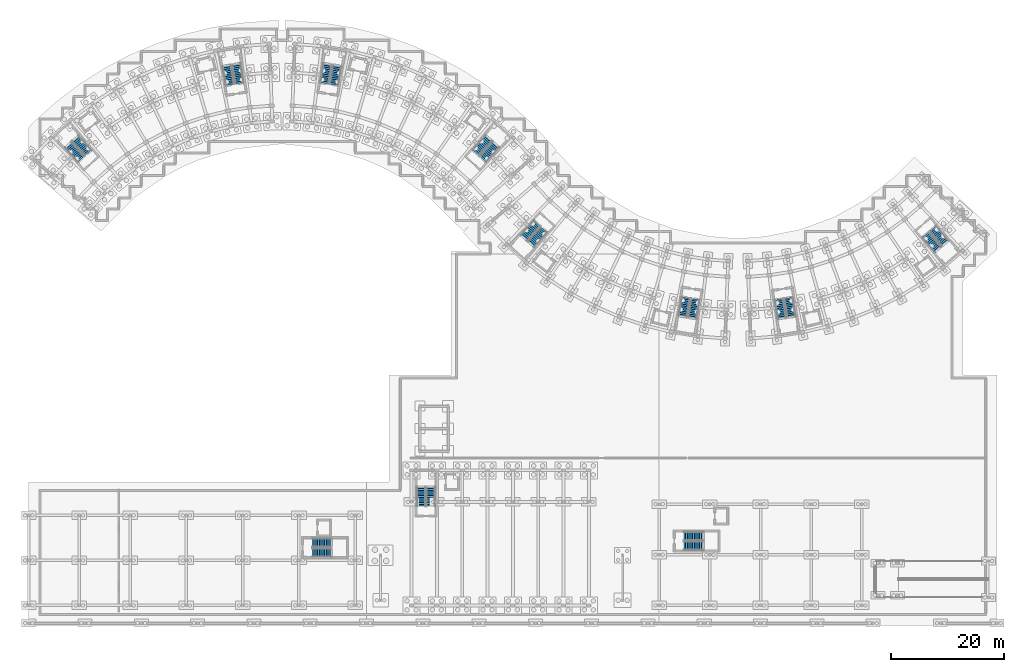
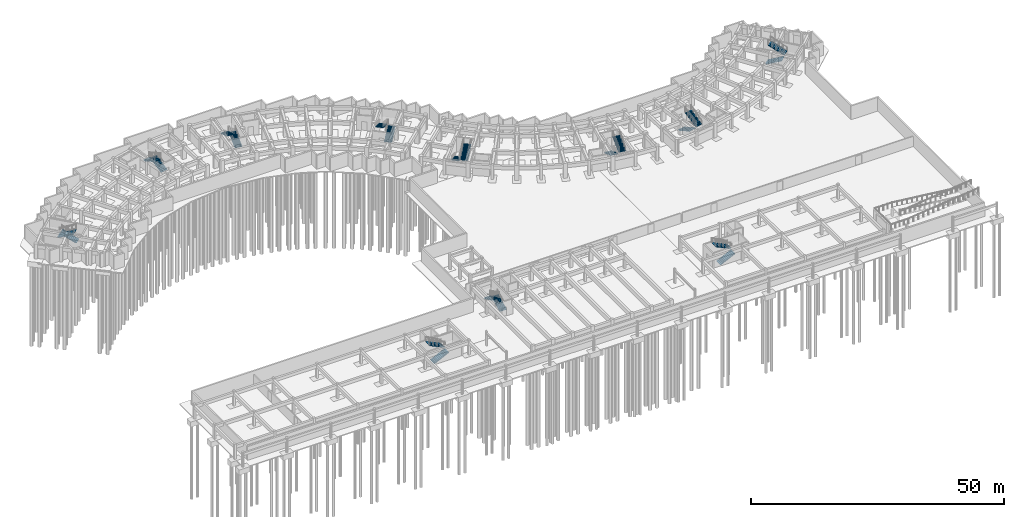
# One storey, part 24 of 32: 22 stair flights, 11 elements without a shape of their own.
"""IFC4 building model written with IfcOpenShell, lengths in metres."""

from ifc_helpers import new_model, si_unit, direction, frame, origin, place, context, subcontext, project, spatial, polyline, outline, extrude, material, type_object, element, aggregate, save


model = new_model("IFC4")

# Units and contexts
model_context = context("Model", 3, precision=1e-05, world=origin(), true_north=direction((0.0, 1.0)))
body_context = subcontext(model_context, "Body", "Model", "MODEL_VIEW")
ifc_project = project(units=[si_unit("LENGTHUNIT", "METRE"), si_unit("AREAUNIT", "SQUARE_METRE"), si_unit("VOLUMEUNIT", "CUBIC_METRE"), si_unit("PLANEANGLEUNIT", "RADIAN"), si_unit("MASSUNIT", "GRAM", prefix="KILO")], contexts=[model_context])

# Site, building, storey
site_placement = place(None, origin())
site = spatial("IfcSite", under=ifc_project, at=site_placement, CompositionType="ELEMENT")
building_placement = place(site_placement, origin())
building = spatial("IfcBuilding", under=site, at=building_placement, Name="Zimvara Arc Housing Community", CompositionType="ELEMENT")
storey_placement = place(building_placement, frame((0.0, 0.0, -3.60009765625)))
storey = spatial("IfcBuildingStorey", under=building, at=storey_placement, Name="B1", CompositionType="ELEMENT", Elevation=-3.60009765625)

# Stair, stair flights
ifc_material_1 = material(Name="Concrete C35/45", Category="concrete")
stair_type_1 = type_object("IfcStairType", Name="STR-DL-310-360", PredefinedType="HALF_TURN_STAIR", material=ifc_material_1)
stair_1_placement = place(storey_placement, origin())
stair_1 = element("IfcStair", 1, at=stair_1_placement, inside=storey, type_object=stair_type_1, Name="B1 Block C Exit Stair 2", PredefinedType="HALF_TURN_STAIR")
ifc_material_2 = material(Name="Concrete C35/45", Category="concrete")
stair_flight_type_1 = type_object("IfcStairFlightType", Name="STF-DL-310-360", PredefinedType="STRAIGHT", material=ifc_material_2)
stair_flight_1_placement = place(storey_placement, frame((116.7353515625, 58.27490234375, 0.0), z_axis=(0.0, 0.0, 1.0), x_axis=(-0.160225753504, -0.987080395872, 0.0)))
stair_flight_1 = element("IfcStairFlight", 2, at=stair_flight_1_placement, type_object=stair_flight_type_1, Name="ST-C2 flight 1", NumberOfRisers=12, NumberOfTreads=11, PredefinedType="STRAIGHT", RiserHeight=0.15, TreadLength=0.31, context=body_context, shape_type="SweptSolid", body=[
    extrude(outline(polyline([(0.0, 0.0), (0.0, 0.14990234375), (0.31005859375, 0.14990234375), (0.31005859375, 0.300048828125), (0.6201171875, 0.300048828125), (0.6201171875, 0.449951171875), (0.929931640625, 0.449951171875), (0.929931640625, 0.60009765625), (1.239990234375, 0.60009765625), (1.239990234375, 0.75), (1.550048828125, 0.75), (1.550048828125, 0.89990234375), (1.860107421875, 0.89990234375), (1.860107421875, 1.050048828125), (2.169921875, 1.050048828125), (2.169921875, 1.199951171875), (2.47998046875, 1.199951171875), (2.47998046875, 1.35009765625), (2.7900390625, 1.35009765625), (2.7900390625, 1.5), (3.10009765625, 1.5), (3.10009765625, 1.64990234375), (3.409912109375, 1.64990234375), (3.409912109375, 1.800048828125), (3.409912109375, 1.4833984375), (0.34423828125, 0.0), (0.0, 0.0)])), frame((0.0, 0.780029296875, 0.0), z_axis=(0.0, -1.0, 0.0), x_axis=(1.0, 0.0, 0.0)), (0.0, 0.0, 1.0), 1.56005859375),
])
stair_flight_2_placement = place(storey_placement, frame((117.88671875, 54.63330078125, 1.800048828125), z_axis=(0.0, 0.0, 1.0), x_axis=(0.160225753504, 0.987080395872, 0.0)))
stair_flight_2 = element("IfcStairFlight", 3, at=stair_flight_2_placement, type_object=stair_flight_type_1, Name="ST-C2 flight 2", NumberOfRisers=12, NumberOfTreads=11, PredefinedType="STRAIGHT", RiserHeight=0.15, TreadLength=0.31, context=body_context, shape_type="SweptSolid", body=[
    extrude(outline(polyline([(0.0, 0.0), (0.0, 0.14990234375), (0.31005859375, 0.14990234375), (0.31005859375, 0.300048828125), (0.6201171875, 0.300048828125), (0.6201171875, 0.449951171875), (0.929931640625, 0.449951171875), (0.929931640625, 0.60009765625), (1.239990234375, 0.60009765625), (1.239990234375, 0.75), (1.550048828125, 0.75), (1.550048828125, 0.89990234375), (1.860107421875, 0.89990234375), (1.860107421875, 1.050048828125), (2.169921875, 1.050048828125), (2.169921875, 1.199951171875), (2.47998046875, 1.199951171875), (2.47998046875, 1.35009765625), (2.7900390625, 1.35009765625), (2.7900390625, 1.5), (3.10009765625, 1.5), (3.10009765625, 1.64990234375), (3.409912109375, 1.64990234375), (3.409912109375, 1.800048828125), (3.409912109375, 1.4833984375), (0.34423828125, 0.0), (0.0, 0.0)])), frame((0.0, 0.780029296875, 0.0), z_axis=(0.0, -1.0, 0.0), x_axis=(1.0, 0.0, 0.0)), (0.0, 0.0, 1.0), 1.56005859375),
])
aggregate(stair_1, [stair_flight_1, stair_flight_2])

stair_2_placement = place(storey_placement, origin())
stair_2 = element("IfcStair", 4, at=stair_2_placement, inside=storey, type_object=stair_type_1, Name="B1 Block D Exit Stair 1", PredefinedType="HALF_TURN_STAIR")
stair_flight_3_placement = place(storey_placement, frame((133.282470703125, 57.964111328125, 0.0), z_axis=(0.0, 0.0, 1.0), x_axis=(0.155572484907, -0.987824479318, 0.0)))
stair_flight_3 = element("IfcStairFlight", 5, at=stair_flight_3_placement, type_object=stair_flight_type_1, Name="ST-D1 flight 1", NumberOfRisers=12, NumberOfTreads=11, PredefinedType="STRAIGHT", RiserHeight=0.15, TreadLength=0.31, context=body_context, shape_type="SweptSolid", body=[
    extrude(outline(polyline([(0.0, 0.0), (0.0, 0.14990234375), (0.31005859375, 0.14990234375), (0.31005859375, 0.300048828125), (0.6201171875, 0.300048828125), (0.6201171875, 0.449951171875), (0.929931640625, 0.449951171875), (0.929931640625, 0.60009765625), (1.239990234375, 0.60009765625), (1.239990234375, 0.75), (1.550048828125, 0.75), (1.550048828125, 0.89990234375), (1.860107421875, 0.89990234375), (1.860107421875, 1.050048828125), (2.169921875, 1.050048828125), (2.169921875, 1.199951171875), (2.47998046875, 1.199951171875), (2.47998046875, 1.35009765625), (2.7900390625, 1.35009765625), (2.7900390625, 1.5), (3.10009765625, 1.5), (3.10009765625, 1.64990234375), (3.409912109375, 1.64990234375), (3.409912109375, 1.800048828125), (3.409912109375, 1.4833984375), (0.34423828125, 0.0), (0.0, 0.0)])), frame((0.0, 0.780029296875, 0.0), z_axis=(0.0, -1.0, 0.0), x_axis=(1.0, 0.0, 0.0)), (0.0, 0.0, 1.0), 1.56005859375),
])
stair_flight_4_placement = place(storey_placement, frame((135.511962890625, 54.86328125, 1.800048828125), z_axis=(0.0, 0.0, 1.0), x_axis=(-0.155572484907, 0.987824479318, 0.0)))
stair_flight_4 = element("IfcStairFlight", 6, at=stair_flight_4_placement, type_object=stair_flight_type_1, Name="ST-D1 flight 2", NumberOfRisers=12, NumberOfTreads=11, PredefinedType="STRAIGHT", RiserHeight=0.15, TreadLength=0.31, context=body_context, shape_type="SweptSolid", body=[
    extrude(outline(polyline([(0.0, 0.0), (0.0, 0.14990234375), (0.31005859375, 0.14990234375), (0.31005859375, 0.300048828125), (0.6201171875, 0.300048828125), (0.6201171875, 0.449951171875), (0.929931640625, 0.449951171875), (0.929931640625, 0.60009765625), (1.239990234375, 0.60009765625), (1.239990234375, 0.75), (1.550048828125, 0.75), (1.550048828125, 0.89990234375), (1.860107421875, 0.89990234375), (1.860107421875, 1.050048828125), (2.169921875, 1.050048828125), (2.169921875, 1.199951171875), (2.47998046875, 1.199951171875), (2.47998046875, 1.35009765625), (2.7900390625, 1.35009765625), (2.7900390625, 1.5), (3.10009765625, 1.5), (3.10009765625, 1.64990234375), (3.409912109375, 1.64990234375), (3.409912109375, 1.800048828125), (3.409912109375, 1.4833984375), (0.34423828125, 0.0), (0.0, 0.0)])), frame((0.0, 0.780029296875, 0.0), z_axis=(0.0, -1.0, 0.0), x_axis=(1.0, 0.0, 0.0)), (0.0, 0.0, 1.0), 1.56005859375),
])
aggregate(stair_2, [stair_flight_3, stair_flight_4])

stair_3_placement = place(storey_placement, origin())
stair_3 = element("IfcStair", 7, at=stair_3_placement, inside=storey, type_object=stair_type_1, Name="B1 Community Hall Stair ST-H1", PredefinedType="HALF_TURN_STAIR")
stair_flight_5_placement = place(storey_placement, frame((71.43994140625, 21.22998046875, 0.0), z_axis=(0.0, 0.0, 1.0), x_axis=(0.0, 1.0, 0.0)))
stair_flight_5 = element("IfcStairFlight", 8, at=stair_flight_5_placement, type_object=stair_flight_type_1, Name="ST-H1 flight 1", NumberOfRisers=12, NumberOfTreads=11, PredefinedType="STRAIGHT", RiserHeight=0.15, TreadLength=0.31, context=body_context, shape_type="SweptSolid", body=[
    extrude(outline(polyline([(0.0, 0.0), (0.0, 0.14990234375), (0.31005859375, 0.14990234375), (0.31005859375, 0.300048828125), (0.6201171875, 0.300048828125), (0.6201171875, 0.449951171875), (0.929931640625, 0.449951171875), (0.929931640625, 0.60009765625), (1.239990234375, 0.60009765625), (1.239990234375, 0.75), (1.550048828125, 0.75), (1.550048828125, 0.89990234375), (1.860107421875, 0.89990234375), (1.860107421875, 1.050048828125), (2.169921875, 1.050048828125), (2.169921875, 1.199951171875), (2.47998046875, 1.199951171875), (2.47998046875, 1.35009765625), (2.7900390625, 1.35009765625), (2.7900390625, 1.5), (3.10009765625, 1.5), (3.10009765625, 1.64990234375), (3.409912109375, 1.64990234375), (3.409912109375, 1.800048828125), (3.409912109375, 1.4833984375), (0.34423828125, 0.0), (0.0, 0.0)])), frame((0.0, 0.780029296875, 0.0), z_axis=(0.0, -1.0, 0.0), x_axis=(1.0, 0.0, 0.0)), (0.0, 0.0, 1.0), 1.56005859375),
])
stair_flight_6_placement = place(storey_placement, frame((69.719970703125, 24.639892578125, 1.800048828125), z_axis=(0.0, 0.0, 1.0), x_axis=(0.0, -1.0, 0.0)))
stair_flight_6 = element("IfcStairFlight", 9, at=stair_flight_6_placement, type_object=stair_flight_type_1, Name="ST-H1 flight 2", NumberOfRisers=12, NumberOfTreads=11, PredefinedType="STRAIGHT", RiserHeight=0.15, TreadLength=0.31, context=body_context, shape_type="SweptSolid", body=[
    extrude(outline(polyline([(0.0, 0.0), (0.0, 0.14990234375), (0.31005859375, 0.14990234375), (0.31005859375, 0.300048828125), (0.6201171875, 0.300048828125), (0.6201171875, 0.449951171875), (0.929931640625, 0.449951171875), (0.929931640625, 0.60009765625), (1.239990234375, 0.60009765625), (1.239990234375, 0.75), (1.550048828125, 0.75), (1.550048828125, 0.89990234375), (1.860107421875, 0.89990234375), (1.860107421875, 1.050048828125), (2.169921875, 1.050048828125), (2.169921875, 1.199951171875), (2.47998046875, 1.199951171875), (2.47998046875, 1.35009765625), (2.7900390625, 1.35009765625), (2.7900390625, 1.5), (3.10009765625, 1.5), (3.10009765625, 1.64990234375), (3.409912109375, 1.64990234375), (3.409912109375, 1.800048828125), (3.409912109375, 1.4833984375), (0.34423828125, 0.0), (0.0, 0.0)])), frame((0.0, 0.780029296875, 0.0), z_axis=(0.0, -1.0, 0.0), x_axis=(1.0, 0.0, 0.0)), (0.0, 0.0, 1.0), 1.56005859375),
])
aggregate(stair_3, [stair_flight_5, stair_flight_6])

stair_4_placement = place(storey_placement, origin())
stair_4 = element("IfcStair", 10, at=stair_4_placement, inside=storey, type_object=stair_type_1, Name="B1 Shops Wing Stair ST-S1", PredefinedType="HALF_TURN_STAIR")
stair_flight_7_placement = place(storey_placement, frame((50.3798828125, 12.97998046875, 0.0), z_axis=(0.0, 0.0, 1.0), x_axis=(1.0, 0.0, 0.0)))
stair_flight_7 = element("IfcStairFlight", 11, at=stair_flight_7_placement, type_object=stair_flight_type_1, Name="ST-S1 flight 1", NumberOfRisers=12, NumberOfTreads=11, PredefinedType="STRAIGHT", RiserHeight=0.15, TreadLength=0.31, context=body_context, shape_type="SweptSolid", body=[
    extrude(outline(polyline([(0.0, 0.0), (0.0, 0.14990234375), (0.31005859375, 0.14990234375), (0.31005859375, 0.300048828125), (0.6201171875, 0.300048828125), (0.6201171875, 0.449951171875), (0.929931640625, 0.449951171875), (0.929931640625, 0.60009765625), (1.239990234375, 0.60009765625), (1.239990234375, 0.75), (1.550048828125, 0.75), (1.550048828125, 0.89990234375), (1.860107421875, 0.89990234375), (1.860107421875, 1.050048828125), (2.169921875, 1.050048828125), (2.169921875, 1.199951171875), (2.47998046875, 1.199951171875), (2.47998046875, 1.35009765625), (2.7900390625, 1.35009765625), (2.7900390625, 1.5), (3.10009765625, 1.5), (3.10009765625, 1.64990234375), (3.409912109375, 1.64990234375), (3.409912109375, 1.800048828125), (3.409912109375, 1.4833984375), (0.34423828125, 0.0), (0.0, 0.0)])), frame((0.0, 0.780029296875, 0.0), z_axis=(0.0, -1.0, 0.0), x_axis=(1.0, 0.0, 0.0)), (0.0, 0.0, 1.0), 1.56005859375),
])
stair_flight_8_placement = place(storey_placement, frame((53.7900390625, 14.699951171875, 1.800048828125), z_axis=(0.0, 0.0, 1.0), x_axis=(-1.0, 0.0, 0.0)))
stair_flight_8 = element("IfcStairFlight", 12, at=stair_flight_8_placement, type_object=stair_flight_type_1, Name="ST-S1 flight 2", NumberOfRisers=12, NumberOfTreads=11, PredefinedType="STRAIGHT", RiserHeight=0.15, TreadLength=0.31, context=body_context, shape_type="SweptSolid", body=[
    extrude(outline(polyline([(0.0, 0.0), (0.0, 0.14990234375), (0.31005859375, 0.14990234375), (0.31005859375, 0.300048828125), (0.6201171875, 0.300048828125), (0.6201171875, 0.449951171875), (0.929931640625, 0.449951171875), (0.929931640625, 0.60009765625), (1.239990234375, 0.60009765625), (1.239990234375, 0.75), (1.550048828125, 0.75), (1.550048828125, 0.89990234375), (1.860107421875, 0.89990234375), (1.860107421875, 1.050048828125), (2.169921875, 1.050048828125), (2.169921875, 1.199951171875), (2.47998046875, 1.199951171875), (2.47998046875, 1.35009765625), (2.7900390625, 1.35009765625), (2.7900390625, 1.5), (3.10009765625, 1.5), (3.10009765625, 1.64990234375), (3.409912109375, 1.64990234375), (3.409912109375, 1.800048828125), (3.409912109375, 1.4833984375), (0.34423828125, 0.0), (0.0, 0.0)])), frame((0.0, 0.780029296875, 0.0), z_axis=(0.0, -1.0, 0.0), x_axis=(1.0, 0.0, 0.0)), (0.0, 0.0, 1.0), 1.56005859375),
])
aggregate(stair_4, [stair_flight_7, stair_flight_8])

ifc_material_3 = material(Name="Concrete C35/45", Category="concrete")
stair_type_2 = type_object("IfcStairType", Name="STR-DL-312-360", PredefinedType="HALF_TURN_STAIR", material=ifc_material_3)
stair_5_placement = place(storey_placement, origin())
stair_5 = element("IfcStair", 13, at=stair_5_placement, inside=storey, type_object=stair_type_2, Name="B1 Block A Exit Stair 1", PredefinedType="HALF_TURN_STAIR")
ifc_material_4 = material(Name="Concrete C35/45", Category="concrete")
stair_flight_type_2 = type_object("IfcStairFlightType", Name="STF-DL-312-360", PredefinedType="STRAIGHT", material=ifc_material_4)
stair_flight_9_placement = place(storey_placement, frame((10.590576171875, 84.0283203125, 0.0), z_axis=(0.0, 0.0, 1.0), x_axis=(-0.668871159118, 0.743378350842, 0.0)))
stair_flight_9 = element("IfcStairFlight", 14, at=stair_flight_9_placement, type_object=stair_flight_type_2, Name="ST-A1 flight 1", NumberOfRisers=12, NumberOfTreads=11, PredefinedType="STRAIGHT", RiserHeight=0.15, TreadLength=0.312, context=body_context, shape_type="SweptSolid", body=[
    extrude(outline(polyline([(0.0, 0.0), (0.0, 0.14990234375), (0.31201171875, 0.14990234375), (0.31201171875, 0.300048828125), (0.6240234375, 0.300048828125), (0.6240234375, 0.449951171875), (0.93603515625, 0.449951171875), (0.93603515625, 0.60009765625), (1.248046875, 0.60009765625), (1.248046875, 0.75), (1.56005859375, 0.75), (1.56005859375, 0.89990234375), (1.8720703125, 0.89990234375), (1.8720703125, 1.050048828125), (2.18408203125, 1.050048828125), (2.18408203125, 1.199951171875), (2.49609375, 1.199951171875), (2.49609375, 1.35009765625), (2.80810546875, 1.35009765625), (2.80810546875, 1.5), (3.1201171875, 1.5), (3.1201171875, 1.64990234375), (3.431884765625, 1.64990234375), (3.431884765625, 1.800048828125), (3.431884765625, 1.483642578125), (0.345947265625, 0.0), (0.0, 0.0)])), frame((0.0, 0.780029296875, 0.0), z_axis=(0.0, -1.0, 0.0), x_axis=(1.0, 0.0, 0.0)), (0.0, 0.0, 1.0), 1.56005859375),
])
stair_flight_10_placement = place(storey_placement, frame((7.016357421875, 85.428955078125, 1.800048828125), z_axis=(0.0, 0.0, 1.0), x_axis=(0.668871159118, -0.743378350842, 0.0)))
stair_flight_10 = element("IfcStairFlight", 15, at=stair_flight_10_placement, type_object=stair_flight_type_2, Name="ST-A1 flight 2", NumberOfRisers=12, NumberOfTreads=11, PredefinedType="STRAIGHT", RiserHeight=0.15, TreadLength=0.312, context=body_context, shape_type="SweptSolid", body=[
    extrude(outline(polyline([(0.0, 0.0), (0.0, 0.14990234375), (0.31201171875, 0.14990234375), (0.31201171875, 0.300048828125), (0.6240234375, 0.300048828125), (0.6240234375, 0.449951171875), (0.93603515625, 0.449951171875), (0.93603515625, 0.60009765625), (1.248046875, 0.60009765625), (1.248046875, 0.75), (1.56005859375, 0.75), (1.56005859375, 0.89990234375), (1.8720703125, 0.89990234375), (1.8720703125, 1.050048828125), (2.18408203125, 1.050048828125), (2.18408203125, 1.199951171875), (2.49609375, 1.199951171875), (2.49609375, 1.35009765625), (2.80810546875, 1.35009765625), (2.80810546875, 1.5), (3.1201171875, 1.5), (3.1201171875, 1.64990234375), (3.431884765625, 1.64990234375), (3.431884765625, 1.800048828125), (3.431884765625, 1.483642578125), (0.345947265625, 0.0), (0.0, 0.0)])), frame((0.0, 0.780029296875, 0.0), z_axis=(0.0, -1.0, 0.0), x_axis=(1.0, 0.0, 0.0)), (0.0, 0.0, 1.0), 1.56005859375),
])
aggregate(stair_5, [stair_flight_9, stair_flight_10])

stair_6_placement = place(storey_placement, origin())
stair_6 = element("IfcStair", 16, at=stair_6_placement, inside=storey, type_object=stair_type_2, Name="B1 Block D Exit Stair 2", PredefinedType="HALF_TURN_STAIR")
stair_flight_11_placement = place(storey_placement, frame((159.32177734375, 69.427001953125, 0.0), z_axis=(0.0, 0.0, 1.0), x_axis=(0.648784221735, -0.760972426325, 0.0)))
stair_flight_11 = element("IfcStairFlight", 17, at=stair_flight_11_placement, type_object=stair_flight_type_2, Name="ST-D2 flight 1", NumberOfRisers=12, NumberOfTreads=11, PredefinedType="STRAIGHT", RiserHeight=0.15, TreadLength=0.312, context=body_context, shape_type="SweptSolid", body=[
    extrude(outline(polyline([(0.0, 0.0), (0.0, 0.14990234375), (0.31201171875, 0.14990234375), (0.31201171875, 0.300048828125), (0.6240234375, 0.300048828125), (0.6240234375, 0.449951171875), (0.93603515625, 0.449951171875), (0.93603515625, 0.60009765625), (1.248046875, 0.60009765625), (1.248046875, 0.75), (1.56005859375, 0.75), (1.56005859375, 0.89990234375), (1.8720703125, 0.89990234375), (1.8720703125, 1.050048828125), (2.18408203125, 1.050048828125), (2.18408203125, 1.199951171875), (2.49609375, 1.199951171875), (2.49609375, 1.35009765625), (2.80810546875, 1.35009765625), (2.80810546875, 1.5), (3.1201171875, 1.5), (3.1201171875, 1.64990234375), (3.431884765625, 1.64990234375), (3.431884765625, 1.800048828125), (3.431884765625, 1.483642578125), (0.345947265625, 0.0), (0.0, 0.0)])), frame((0.0, 0.780029296875, 0.0), z_axis=(0.0, -1.0, 0.0), x_axis=(1.0, 0.0, 0.0)), (0.0, 0.0, 1.0), 1.56005859375),
])
stair_flight_12_placement = place(storey_placement, frame((162.857421875, 67.931396484375, 1.800048828125), z_axis=(0.0, 0.0, 1.0), x_axis=(-0.648784221735, 0.760972426325, 0.0)))
stair_flight_12 = element("IfcStairFlight", 18, at=stair_flight_12_placement, type_object=stair_flight_type_2, Name="ST-D2 flight 2", NumberOfRisers=12, NumberOfTreads=11, PredefinedType="STRAIGHT", RiserHeight=0.15, TreadLength=0.312, context=body_context, shape_type="SweptSolid", body=[
    extrude(outline(polyline([(0.0, 0.0), (0.0, 0.14990234375), (0.31201171875, 0.14990234375), (0.31201171875, 0.300048828125), (0.6240234375, 0.300048828125), (0.6240234375, 0.449951171875), (0.93603515625, 0.449951171875), (0.93603515625, 0.60009765625), (1.248046875, 0.60009765625), (1.248046875, 0.75), (1.56005859375, 0.75), (1.56005859375, 0.89990234375), (1.8720703125, 0.89990234375), (1.8720703125, 1.050048828125), (2.18408203125, 1.050048828125), (2.18408203125, 1.199951171875), (2.49609375, 1.199951171875), (2.49609375, 1.35009765625), (2.80810546875, 1.35009765625), (2.80810546875, 1.5), (3.1201171875, 1.5), (3.1201171875, 1.64990234375), (3.431884765625, 1.64990234375), (3.431884765625, 1.800048828125), (3.431884765625, 1.483642578125), (0.345947265625, 0.0), (0.0, 0.0)])), frame((0.0, 0.780029296875, 0.0), z_axis=(0.0, -1.0, 0.0), x_axis=(1.0, 0.0, 0.0)), (0.0, 0.0, 1.0), 1.56005859375),
])
aggregate(stair_6, [stair_flight_11, stair_flight_12])

stair_7_placement = place(storey_placement, origin())
stair_7 = element("IfcStair", 19, at=stair_7_placement, inside=storey, type_object=stair_type_2, Name="B1 Nursery Stair ST-N1", PredefinedType="HALF_TURN_STAIR")
stair_flight_13_placement = place(storey_placement, frame((116.3798828125, 14.179931640625, 0.0), z_axis=(0.0, 0.0, 1.0), x_axis=(1.0, 0.0, 0.0)))
stair_flight_13 = element("IfcStairFlight", 20, at=stair_flight_13_placement, type_object=stair_flight_type_2, Name="ST-N1 flight 1", NumberOfRisers=12, NumberOfTreads=11, PredefinedType="STRAIGHT", RiserHeight=0.15, TreadLength=0.312, context=body_context, shape_type="SweptSolid", body=[
    extrude(outline(polyline([(0.0, 0.0), (0.0, 0.14990234375), (0.31201171875, 0.14990234375), (0.31201171875, 0.300048828125), (0.6240234375, 0.300048828125), (0.6240234375, 0.449951171875), (0.93603515625, 0.449951171875), (0.93603515625, 0.60009765625), (1.248046875, 0.60009765625), (1.248046875, 0.75), (1.56005859375, 0.75), (1.56005859375, 0.89990234375), (1.8720703125, 0.89990234375), (1.8720703125, 1.050048828125), (2.18408203125, 1.050048828125), (2.18408203125, 1.199951171875), (2.49609375, 1.199951171875), (2.49609375, 1.35009765625), (2.80810546875, 1.35009765625), (2.80810546875, 1.5), (3.1201171875, 1.5), (3.1201171875, 1.64990234375), (3.431884765625, 1.64990234375), (3.431884765625, 1.800048828125), (3.431884765625, 1.483642578125), (0.345947265625, 0.0), (0.0, 0.0)])), frame((0.0, 0.780029296875, 0.0), z_axis=(0.0, -1.0, 0.0), x_axis=(1.0, 0.0, 0.0)), (0.0, 0.0, 1.0), 1.56005859375),
])
stair_flight_14_placement = place(storey_placement, frame((119.81201171875, 15.89990234375, 1.800048828125), z_axis=(0.0, 0.0, 1.0), x_axis=(-1.0, 0.0, 0.0)))
stair_flight_14 = element("IfcStairFlight", 21, at=stair_flight_14_placement, type_object=stair_flight_type_2, Name="ST-N1 flight 2", NumberOfRisers=12, NumberOfTreads=11, PredefinedType="STRAIGHT", RiserHeight=0.15, TreadLength=0.312, context=body_context, shape_type="SweptSolid", body=[
    extrude(outline(polyline([(0.0, 0.0), (0.0, 0.14990234375), (0.31201171875, 0.14990234375), (0.31201171875, 0.300048828125), (0.6240234375, 0.300048828125), (0.6240234375, 0.449951171875), (0.93603515625, 0.449951171875), (0.93603515625, 0.60009765625), (1.248046875, 0.60009765625), (1.248046875, 0.75), (1.56005859375, 0.75), (1.56005859375, 0.89990234375), (1.8720703125, 0.89990234375), (1.8720703125, 1.050048828125), (2.18408203125, 1.050048828125), (2.18408203125, 1.199951171875), (2.49609375, 1.199951171875), (2.49609375, 1.35009765625), (2.80810546875, 1.35009765625), (2.80810546875, 1.5), (3.1201171875, 1.5), (3.1201171875, 1.64990234375), (3.431884765625, 1.64990234375), (3.431884765625, 1.800048828125), (3.431884765625, 1.483642578125), (0.345947265625, 0.0), (0.0, 0.0)])), frame((0.0, 0.780029296875, 0.0), z_axis=(0.0, -1.0, 0.0), x_axis=(1.0, 0.0, 0.0)), (0.0, 0.0, 1.0), 1.56005859375),
])
aggregate(stair_7, [stair_flight_13, stair_flight_14])

ifc_material_5 = material(Name="Concrete C35/45", Category="concrete")
stair_type_3 = type_object("IfcStairType", Name="STR-DL-315-360", PredefinedType="HALF_TURN_STAIR", material=ifc_material_5)
stair_8_placement = place(storey_placement, origin())
stair_8 = element("IfcStair", 22, at=stair_8_placement, inside=storey, type_object=stair_type_3, Name="B1 Block A Exit Stair 2", PredefinedType="HALF_TURN_STAIR")
ifc_material_6 = material(Name="Concrete C35/45", Category="concrete")
stair_flight_type_3 = type_object("IfcStairFlightType", Name="STF-DL-315-360", PredefinedType="STRAIGHT", material=ifc_material_6)
stair_flight_15_placement = place(storey_placement, frame((37.453125, 96.36083984375, 0.0), z_axis=(0.0, 0.0, 1.0), x_axis=(-0.160225753504, 0.987080395872, 0.0)))
stair_flight_15 = element("IfcStairFlight", 23, at=stair_flight_15_placement, type_object=stair_flight_type_3, Name="ST-A2 flight 1", NumberOfRisers=12, NumberOfTreads=11, PredefinedType="STRAIGHT", RiserHeight=0.15, TreadLength=0.315, context=body_context, shape_type="SweptSolid", body=[
    extrude(outline(polyline([(0.0, 0.0), (0.0, 0.14990234375), (0.31494140625, 0.14990234375), (0.31494140625, 0.300048828125), (0.6298828125, 0.300048828125), (0.6298828125, 0.449951171875), (0.945068359375, 0.449951171875), (0.945068359375, 0.60009765625), (1.260009765625, 0.60009765625), (1.260009765625, 0.75), (1.574951171875, 0.75), (1.574951171875, 0.89990234375), (1.889892578125, 0.89990234375), (1.889892578125, 1.050048828125), (2.205078125, 1.050048828125), (2.205078125, 1.199951171875), (2.52001953125, 1.199951171875), (2.52001953125, 1.35009765625), (2.8349609375, 1.35009765625), (2.8349609375, 1.5), (3.14990234375, 1.5), (3.14990234375, 1.64990234375), (3.465087890625, 1.64990234375), (3.465087890625, 1.800048828125), (3.465087890625, 1.48388671875), (0.3486328125, 0.0), (0.0, 0.0)])), frame((0.0, 0.780029296875, 0.0), z_axis=(0.0, -1.0, 0.0), x_axis=(1.0, 0.0, 0.0)), (0.0, 0.0, 1.0), 1.56005859375),
])
stair_flight_16_placement = place(storey_placement, frame((35.2001953125, 99.50537109375, 1.800048828125), z_axis=(0.0, 0.0, 1.0), x_axis=(0.160225753504, -0.987080395872, 0.0)))
stair_flight_16 = element("IfcStairFlight", 24, at=stair_flight_16_placement, type_object=stair_flight_type_3, Name="ST-A2 flight 2", NumberOfRisers=12, NumberOfTreads=11, PredefinedType="STRAIGHT", RiserHeight=0.15, TreadLength=0.315, context=body_context, shape_type="SweptSolid", body=[
    extrude(outline(polyline([(0.0, 0.0), (0.0, 0.14990234375), (0.31494140625, 0.14990234375), (0.31494140625, 0.300048828125), (0.6298828125, 0.300048828125), (0.6298828125, 0.449951171875), (0.945068359375, 0.449951171875), (0.945068359375, 0.60009765625), (1.260009765625, 0.60009765625), (1.260009765625, 0.75), (1.574951171875, 0.75), (1.574951171875, 0.89990234375), (1.889892578125, 0.89990234375), (1.889892578125, 1.050048828125), (2.205078125, 1.050048828125), (2.205078125, 1.199951171875), (2.52001953125, 1.199951171875), (2.52001953125, 1.35009765625), (2.8349609375, 1.35009765625), (2.8349609375, 1.5), (3.14990234375, 1.5), (3.14990234375, 1.64990234375), (3.465087890625, 1.64990234375), (3.465087890625, 1.800048828125), (3.465087890625, 1.48388671875), (0.3486328125, 0.0), (0.0, 0.0)])), frame((0.0, 0.780029296875, 0.0), z_axis=(0.0, -1.0, 0.0), x_axis=(1.0, 0.0, 0.0)), (0.0, 0.0, 1.0), 1.56005859375),
])
aggregate(stair_8, [stair_flight_15, stair_flight_16])

stair_9_placement = place(storey_placement, origin())
stair_9 = element("IfcStair", 25, at=stair_9_placement, inside=storey, type_object=stair_type_3, Name="B1 Block B Exit Stair 1", PredefinedType="HALF_TURN_STAIR")
stair_flight_17_placement = place(storey_placement, frame((54.24462890625, 96.085205078125, 0.0), z_axis=(0.0, 0.0, 1.0), x_axis=(0.160225753504, 0.987080395872, 0.0)))
stair_flight_17 = element("IfcStairFlight", 26, at=stair_flight_17_placement, type_object=stair_flight_type_3, Name="ST-B1 flight 1", NumberOfRisers=12, NumberOfTreads=11, PredefinedType="STRAIGHT", RiserHeight=0.15, TreadLength=0.315, context=body_context, shape_type="SweptSolid", body=[
    extrude(outline(polyline([(0.0, 0.0), (0.0, 0.14990234375), (0.31494140625, 0.14990234375), (0.31494140625, 0.300048828125), (0.6298828125, 0.300048828125), (0.6298828125, 0.449951171875), (0.945068359375, 0.449951171875), (0.945068359375, 0.60009765625), (1.260009765625, 0.60009765625), (1.260009765625, 0.75), (1.574951171875, 0.75), (1.574951171875, 0.89990234375), (1.889892578125, 0.89990234375), (1.889892578125, 1.050048828125), (2.205078125, 1.050048828125), (2.205078125, 1.199951171875), (2.52001953125, 1.199951171875), (2.52001953125, 1.35009765625), (2.8349609375, 1.35009765625), (2.8349609375, 1.5), (3.14990234375, 1.5), (3.14990234375, 1.64990234375), (3.465087890625, 1.64990234375), (3.465087890625, 1.800048828125), (3.465087890625, 1.48388671875), (0.3486328125, 0.0), (0.0, 0.0)])), frame((0.0, 0.780029296875, 0.0), z_axis=(0.0, -1.0, 0.0), x_axis=(1.0, 0.0, 0.0)), (0.0, 0.0, 1.0), 1.56005859375),
])
stair_flight_18_placement = place(storey_placement, frame((53.10205078125, 99.781005859375, 1.800048828125), z_axis=(0.0, 0.0, 1.0), x_axis=(-0.160225753504, -0.987080395872, 0.0)))
stair_flight_18 = element("IfcStairFlight", 27, at=stair_flight_18_placement, type_object=stair_flight_type_3, Name="ST-B1 flight 2", NumberOfRisers=12, NumberOfTreads=11, PredefinedType="STRAIGHT", RiserHeight=0.15, TreadLength=0.315, context=body_context, shape_type="SweptSolid", body=[
    extrude(outline(polyline([(0.0, 0.0), (0.0, 0.14990234375), (0.31494140625, 0.14990234375), (0.31494140625, 0.300048828125), (0.6298828125, 0.300048828125), (0.6298828125, 0.449951171875), (0.945068359375, 0.449951171875), (0.945068359375, 0.60009765625), (1.260009765625, 0.60009765625), (1.260009765625, 0.75), (1.574951171875, 0.75), (1.574951171875, 0.89990234375), (1.889892578125, 0.89990234375), (1.889892578125, 1.050048828125), (2.205078125, 1.050048828125), (2.205078125, 1.199951171875), (2.52001953125, 1.199951171875), (2.52001953125, 1.35009765625), (2.8349609375, 1.35009765625), (2.8349609375, 1.5), (3.14990234375, 1.5), (3.14990234375, 1.64990234375), (3.465087890625, 1.64990234375), (3.465087890625, 1.800048828125), (3.465087890625, 1.48388671875), (0.3486328125, 0.0), (0.0, 0.0)])), frame((0.0, 0.780029296875, 0.0), z_axis=(0.0, -1.0, 0.0), x_axis=(1.0, 0.0, 0.0)), (0.0, 0.0, 1.0), 1.56005859375),
])
aggregate(stair_9, [stair_flight_17, stair_flight_18])

ifc_material_7 = material(Name="Concrete C35/45", Category="concrete")
stair_type_4 = type_object("IfcStairType", Name="STR-DL-318-360", PredefinedType="HALF_TURN_STAIR", material=ifc_material_7)
stair_10_placement = place(storey_placement, origin())
stair_10 = element("IfcStair", 28, at=stair_10_placement, inside=storey, type_object=stair_type_4, Name="B1 Block B Exit Stair 2", PredefinedType="HALF_TURN_STAIR")
ifc_material_8 = material(Name="Concrete C35/45", Category="concrete")
stair_flight_type_4 = type_object("IfcStairFlightType", Name="STF-DL-318-360", PredefinedType="STRAIGHT", material=ifc_material_8)
stair_flight_19_placement = place(storey_placement, frame((80.688232421875, 82.877685546875, 0.0), z_axis=(0.0, 0.0, 1.0), x_axis=(0.668871159118, 0.743378350842, 0.0)))
stair_flight_19 = element("IfcStairFlight", 29, at=stair_flight_19_placement, type_object=stair_flight_type_4, Name="ST-B2 flight 1", NumberOfRisers=12, NumberOfTreads=11, PredefinedType="STRAIGHT", RiserHeight=0.15, TreadLength=0.318, context=body_context, shape_type="SweptSolid", body=[
    extrude(outline(polyline([(0.0, 0.0), (0.0, 0.14990234375), (0.318115234375, 0.14990234375), (0.318115234375, 0.300048828125), (0.635986328125, 0.300048828125), (0.635986328125, 0.449951171875), (0.9541015625, 0.449951171875), (0.9541015625, 0.60009765625), (1.27197265625, 0.60009765625), (1.27197265625, 0.75), (1.590087890625, 0.75), (1.590087890625, 0.89990234375), (1.907958984375, 0.89990234375), (1.907958984375, 1.050048828125), (2.22607421875, 1.050048828125), (2.22607421875, 1.199951171875), (2.5439453125, 1.199951171875), (2.5439453125, 1.35009765625), (2.862060546875, 1.35009765625), (2.862060546875, 1.5), (3.179931640625, 1.5), (3.179931640625, 1.64990234375), (3.498046875, 1.64990234375), (3.498046875, 1.800048828125), (3.498046875, 1.484375), (0.351318359375, 0.0), (0.0, 0.0)])), frame((0.0, 0.780029296875, 0.0), z_axis=(0.0, -1.0, 0.0), x_axis=(1.0, 0.0, 0.0)), (0.0, 0.0, 1.0), 1.56005859375),
])
stair_flight_20_placement = place(storey_placement, frame((81.749267578125, 86.628662109375, 1.800048828125), z_axis=(0.0, 0.0, 1.0), x_axis=(-0.668871159118, -0.743378350842, 0.0)))
stair_flight_20 = element("IfcStairFlight", 30, at=stair_flight_20_placement, type_object=stair_flight_type_4, Name="ST-B2 flight 2", NumberOfRisers=12, NumberOfTreads=11, PredefinedType="STRAIGHT", RiserHeight=0.15, TreadLength=0.318, context=body_context, shape_type="SweptSolid", body=[
    extrude(outline(polyline([(0.0, 0.0), (0.0, 0.14990234375), (0.318115234375, 0.14990234375), (0.318115234375, 0.300048828125), (0.635986328125, 0.300048828125), (0.635986328125, 0.449951171875), (0.9541015625, 0.449951171875), (0.9541015625, 0.60009765625), (1.27197265625, 0.60009765625), (1.27197265625, 0.75), (1.590087890625, 0.75), (1.590087890625, 0.89990234375), (1.907958984375, 0.89990234375), (1.907958984375, 1.050048828125), (2.22607421875, 1.050048828125), (2.22607421875, 1.199951171875), (2.5439453125, 1.199951171875), (2.5439453125, 1.35009765625), (2.862060546875, 1.35009765625), (2.862060546875, 1.5), (3.179931640625, 1.5), (3.179931640625, 1.64990234375), (3.498046875, 1.64990234375), (3.498046875, 1.800048828125), (3.498046875, 1.484375), (0.351318359375, 0.0), (0.0, 0.0)])), frame((0.0, 0.780029296875, 0.0), z_axis=(0.0, -1.0, 0.0), x_axis=(1.0, 0.0, 0.0)), (0.0, 0.0, 1.0), 1.56005859375),
])
aggregate(stair_10, [stair_flight_19, stair_flight_20])

stair_11_placement = place(storey_placement, origin())
stair_11 = element("IfcStair", 31, at=stair_11_placement, inside=storey, type_object=stair_type_4, Name="B1 Block C Exit Stair 1", PredefinedType="HALF_TURN_STAIR")
stair_flight_21_placement = place(storey_placement, frame((90.291748046875, 71.482177734375, 0.0), z_axis=(0.0, 0.0, 1.0), x_axis=(-0.668871159118, -0.743378350842, 0.0)))
stair_flight_21 = element("IfcStairFlight", 32, at=stair_flight_21_placement, type_object=stair_flight_type_4, Name="ST-C1 flight 1", NumberOfRisers=12, NumberOfTreads=11, PredefinedType="STRAIGHT", RiserHeight=0.15, TreadLength=0.318, context=body_context, shape_type="SweptSolid", body=[
    extrude(outline(polyline([(0.0, 0.0), (0.0, 0.14990234375), (0.318115234375, 0.14990234375), (0.318115234375, 0.300048828125), (0.635986328125, 0.300048828125), (0.635986328125, 0.449951171875), (0.9541015625, 0.449951171875), (0.9541015625, 0.60009765625), (1.27197265625, 0.60009765625), (1.27197265625, 0.75), (1.590087890625, 0.75), (1.590087890625, 0.89990234375), (1.907958984375, 0.89990234375), (1.907958984375, 1.050048828125), (2.22607421875, 1.050048828125), (2.22607421875, 1.199951171875), (2.5439453125, 1.199951171875), (2.5439453125, 1.35009765625), (2.862060546875, 1.35009765625), (2.862060546875, 1.5), (3.179931640625, 1.5), (3.179931640625, 1.64990234375), (3.498046875, 1.64990234375), (3.498046875, 1.800048828125), (3.498046875, 1.484375), (0.351318359375, 0.0), (0.0, 0.0)])), frame((0.0, 0.780029296875, 0.0), z_axis=(0.0, -1.0, 0.0), x_axis=(1.0, 0.0, 0.0)), (0.0, 0.0, 1.0), 1.56005859375),
])
stair_flight_22_placement = place(storey_placement, frame((89.230712890625, 67.7314453125, 1.800048828125), z_axis=(0.0, 0.0, 1.0), x_axis=(0.668871159118, 0.743378350842, 0.0)))
stair_flight_22 = element("IfcStairFlight", 33, at=stair_flight_22_placement, type_object=stair_flight_type_4, Name="ST-C1 flight 2", NumberOfRisers=12, NumberOfTreads=11, PredefinedType="STRAIGHT", RiserHeight=0.15, TreadLength=0.318, context=body_context, shape_type="SweptSolid", body=[
    extrude(outline(polyline([(0.0, 0.0), (0.0, 0.14990234375), (0.318115234375, 0.14990234375), (0.318115234375, 0.300048828125), (0.635986328125, 0.300048828125), (0.635986328125, 0.449951171875), (0.9541015625, 0.449951171875), (0.9541015625, 0.60009765625), (1.27197265625, 0.60009765625), (1.27197265625, 0.75), (1.590087890625, 0.75), (1.590087890625, 0.89990234375), (1.907958984375, 0.89990234375), (1.907958984375, 1.050048828125), (2.22607421875, 1.050048828125), (2.22607421875, 1.199951171875), (2.5439453125, 1.199951171875), (2.5439453125, 1.35009765625), (2.862060546875, 1.35009765625), (2.862060546875, 1.5), (3.179931640625, 1.5), (3.179931640625, 1.64990234375), (3.498046875, 1.64990234375), (3.498046875, 1.800048828125), (3.498046875, 1.484375), (0.351318359375, 0.0), (0.0, 0.0)])), frame((0.0, 0.780029296875, 0.0), z_axis=(0.0, -1.0, 0.0), x_axis=(1.0, 0.0, 0.0)), (0.0, 0.0, 1.0), 1.56005859375),
])
aggregate(stair_11, [stair_flight_21, stair_flight_22])

save(model, "model.ifc")
